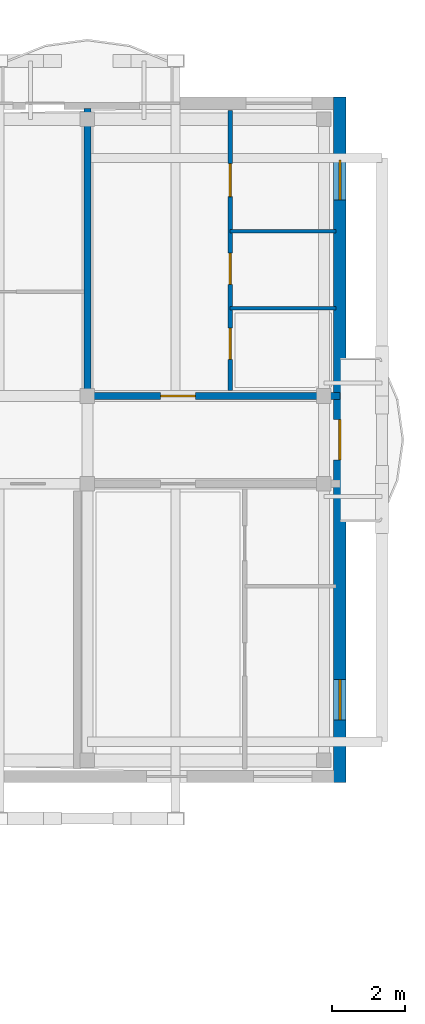
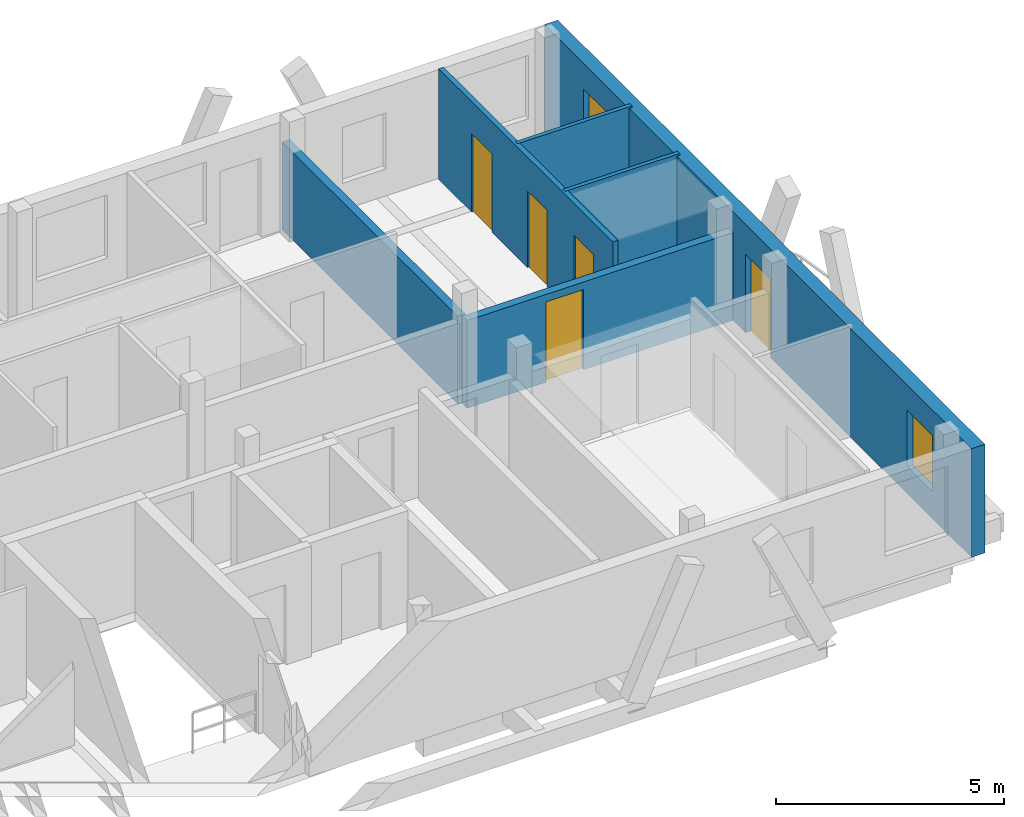
# One storey, part 21 of 29: 6 walls, 5 doors, 2 windows, 7 openings.
"""IFC4 building model written with IfcOpenShell, lengths in metres."""

from ifc_helpers import new_model, si_unit, direction, frame, frame_2d, origin, origin_with_axes, place, context, subcontext, project, spatial, rectangle, extrude, material, layer, layer_set, type_object, element, fill, save


model = new_model("IFC4")

# Units and contexts
model_context = context("Model", 3, precision=1e-05, world=origin(), true_north=direction((0.0, 1.0)))
body_context = subcontext(model_context, "Body", "Model", "MODEL_VIEW")
ifc_project = project(units=[si_unit("LENGTHUNIT", "METRE"), si_unit("AREAUNIT", "SQUARE_METRE"), si_unit("VOLUMEUNIT", "CUBIC_METRE"), si_unit("PLANEANGLEUNIT", "RADIAN"), si_unit("MASSUNIT", "GRAM", prefix="KILO")], contexts=[model_context])

# Site, building, storey
site_placement = place(None, origin())
site = spatial("IfcSite", under=ifc_project, at=site_placement, CompositionType="ELEMENT")
building_placement = place(site_placement, origin())
building = spatial("IfcBuilding", under=site, at=building_placement, Name="Zavelmont Quarter", CompositionType="ELEMENT")
storey_placement = place(building_placement, frame((0.0, 0.0, 33.60009765625)))
storey = spatial("IfcBuildingStorey", under=building, at=storey_placement, Name="L10", CompositionType="ELEMENT", Elevation=33.60009765625)

# Wall, openings, door, windows
ifc_material_1 = material(Name="Natural Belgian limestone", Category="masonry")
ifc_layer_1 = layer(ifc_material_1, 0.340087890625)
ifc_layer_set_1 = layer_set([ifc_layer_1], Name="Natural Belgian limestone")
wall_type_1 = type_object("IfcWallType", Name="EW03", PredefinedType="STANDARD", material=ifc_layer_set_1)
wall_1_placement = place(storey_placement, frame((168.0, 97.429931640625, 0.0), z_axis=(0.0, 0.0, 1.0), x_axis=(0.0, 1.0, 0.0)))
wall_1 = element("IfcWall", 1, at=wall_1_placement, inside=storey, type_object=wall_type_1, Name="L10 exterior limestone wall EW03", PredefinedType="STANDARD", context=body_context, shape_type="SweptSolid", body=[
    extrude(rectangle(XDim=18.739990234375, YDim=0.340087890625, at=frame_2d((9.3701171875, 0.0))), origin(), (0.0, 0.0, 1.0), 2.909912109375),
])
opening_1_placement = place(wall_1_placement, frame((8.820068359375, 0.0, 0.0)))
opening_1 = element("IfcOpeningElement", 2, at=opening_1_placement, cuts=wall_1, Name="Opening DR04B", PredefinedType="OPENING", context=body_context, shape_type="SweptSolid", body=[
    extrude(rectangle(XDim=1.10009765625, YDim=2.10009765625, at=frame_2d((0.550048828125, 1.050048828125))), frame((0.0, 0.18212890625, 0.0), z_axis=(0.0, -1.0, 0.0), x_axis=(1.0, 0.0, 0.0)), (0.0, 0.0, 1.0), 0.364013671875),
])
opening_2_placement = place(wall_1_placement, frame((1.719970703125, 0.0, 0.719970703125)))
opening_2 = element("IfcOpeningElement", 3, at=opening_2_placement, cuts=wall_1, Name="Opening WN09", PredefinedType="OPENING", context=body_context, shape_type="SweptSolid", body=[
    extrude(rectangle(XDim=1.10009765625, YDim=1.5, at=frame_2d((0.550048828125, 0.75))), frame((0.0, 0.18212890625, 0.0), z_axis=(0.0, -1.0, 0.0), x_axis=(1.0, 0.0, 0.0)), (0.0, 0.0, 1.0), 0.364013671875),
])
opening_3_placement = place(wall_1_placement, frame((15.919921875, 0.0, 0.719970703125)))
opening_3 = element("IfcOpeningElement", 4, at=opening_3_placement, cuts=wall_1, Name="Opening WN09", PredefinedType="OPENING", context=body_context, shape_type="SweptSolid", body=[
    extrude(rectangle(XDim=1.10009765625, YDim=1.5, at=frame_2d((0.550048828125, 0.75))), frame((0.0, 0.18212890625, 0.0), z_axis=(0.0, -1.0, 0.0), x_axis=(1.0, 0.0, 0.0)), (0.0, 0.0, 1.0), 0.364013671875),
])
ifc_material_2 = material(Name="Thermally broken aluminium and double safety glass", Category="aluminium")
door_type_1 = type_object("IfcDoorType", Name="DR04B", OperationType="NOTDEFINED", PredefinedType="DOOR", material=ifc_material_2)
door_1_placement = place(opening_1_placement, origin_with_axes())
door_1 = element("IfcDoor", 5, at=door_1_placement, inside=storey, type_object=door_type_1, Name="Block C L10 terrace or vase balcony door", OperationType="SINGLE_SWING_RIGHT", OverallHeight=2.10009765625, OverallWidth=1.10009765625, PredefinedType="DOOR", context=body_context, shape_type="SweptSolid", body=[
    extrude(rectangle(XDim=1.10009765625, YDim=2.10009765625, at=frame_2d((0.550048828125, 1.050048828125))), frame((0.0, 0.02490234375, 0.0), z_axis=(0.0, -1.0, 0.0), x_axis=(1.0, 0.0, 0.0)), (0.0, 0.0, 1.0), 0.050048828125),
])
fill(opening_1, door_1)
ifc_material_3 = material(Name="Double low-E insulated glazing in thermally broken aluminium frame", Category="aluminium")
window_type = type_object("IfcWindowType", Name="WN09", PartitioningType="SINGLE_PANEL", PredefinedType="WINDOW", material=ifc_material_3)
window_1_placement = place(opening_2_placement, origin_with_axes())
window_1 = element("IfcWindow", 6, at=window_1_placement, inside=storey, type_object=window_type, Name="L10 window WN09", OverallHeight=1.5, OverallWidth=1.10009765625, PartitioningType="SINGLE_PANEL", PredefinedType="WINDOW", context=body_context, shape_type="SweptSolid", body=[
    extrude(rectangle(XDim=1.10009765625, YDim=1.5, at=frame_2d((0.550048828125, 0.75))), frame((0.0, 0.030029296875, 0.0), z_axis=(0.0, -1.0, 0.0), x_axis=(1.0, 0.0, 0.0)), (0.0, 0.0, 1.0), 0.06005859375),
])
fill(opening_2, window_1)
window_2_placement = place(opening_3_placement, origin_with_axes())
window_2 = element("IfcWindow", 7, at=window_2_placement, inside=storey, type_object=window_type, Name="L10 window WN09", OverallHeight=1.5, OverallWidth=1.10009765625, PartitioningType="SINGLE_PANEL", PredefinedType="WINDOW", context=body_context, shape_type="SweptSolid", body=[
    extrude(rectangle(XDim=1.10009765625, YDim=1.5, at=frame_2d((0.550048828125, 0.75))), frame((0.0, 0.030029296875, 0.0), z_axis=(0.0, -1.0, 0.0), x_axis=(1.0, 0.0, 0.0)), (0.0, 0.0, 1.0), 0.06005859375),
])
fill(opening_3, window_2)

# Wall
ifc_material_4 = material(Name="Calcium-silicate blockwork and acoustic plaster", Category="masonry")
ifc_layer_2 = layer(ifc_material_4, 0.199951171875)
ifc_layer_set_2 = layer_set([ifc_layer_2], Name="Calcium-silicate blockwork and acoustic plaster")
wall_type_2 = type_object("IfcWallType", Name="IW01", PredefinedType="PARTITIONING", material=ifc_layer_set_2)
wall_2_placement = place(storey_placement, frame((161.10009765625, 108.14990234375, 0.0), z_axis=(0.0, 0.0, 1.0), x_axis=(0.0, 1.0, 0.0)))
element("IfcWall", 8, at=wall_2_placement, inside=storey, type_object=wall_type_2, Name="L10 Inter-dwelling compartment wall IW01", PredefinedType="PARTITIONING", context=body_context, shape_type="SweptSolid", body=[
    extrude(rectangle(XDim=7.7001953125, YDim=0.199951171875, at=frame_2d((3.85009765625, 0.0))), origin(), (0.0, 0.0, 1.0), 2.349853515625),
])

# Wall, opening, door
wall_3_placement = place(storey_placement, frame((161.10009765625, 108.0, 0.0), z_axis=(0.0, 0.0, 1.0), x_axis=(1.0, 0.0, 0.0)))
wall_3 = element("IfcWall", 9, at=wall_3_placement, inside=storey, type_object=wall_type_2, Name="L10 Corridor compartment wall IW01", PredefinedType="PARTITIONING", context=body_context, shape_type="SweptSolid", body=[
    extrude(rectangle(XDim=6.89990234375, YDim=0.199951171875, at=frame_2d((3.449951171875, 0.0))), origin(), (0.0, 0.0, 1.0), 2.349853515625),
])
opening_4_placement = place(wall_3_placement, frame((2.0, 0.0, 0.0)))
opening_4 = element("IfcOpeningElement", 10, at=opening_4_placement, cuts=wall_3, Name="Opening DR02", PredefinedType="OPENING", context=body_context, shape_type="SweptSolid", body=[
    extrude(rectangle(XDim=0.949951171875, YDim=2.14990234375, at=frame_2d((0.47509765625, 1.074951171875))), frame((0.0, 0.11181640625, 0.0), z_axis=(0.0, -1.0, 0.0), x_axis=(1.0, 0.0, 0.0)), (0.0, 0.0, 1.0), 0.223876953125),
])
ifc_material_5 = material(Name="Solid-core oak fire leaf in steel frame", Category="steel")
door_type_2 = type_object("IfcDoorType", Name="DR02", OperationType="NOTDEFINED", PredefinedType="DOOR", material=ifc_material_5)
door_2_placement = place(opening_4_placement, origin_with_axes())
door_2 = element("IfcDoor", 11, at=door_2_placement, inside=storey, type_object=door_type_2, Name="L10 door DR02", OperationType="SINGLE_SWING_RIGHT", OverallHeight=2.14990234375, OverallWidth=0.949951171875, PredefinedType="DOOR", context=body_context, shape_type="SweptSolid", body=[
    extrude(rectangle(XDim=0.949951171875, YDim=2.14990234375, at=frame_2d((0.47509765625, 1.074951171875))), frame((0.0, 0.02490234375, 0.0), z_axis=(0.0, -1.0, 0.0), x_axis=(1.0, 0.0, 0.0)), (0.0, 0.0, 1.0), 0.050048828125),
])
fill(opening_4, door_2)

# Wall, openings, doors
ifc_material_6 = material(Name="Double gypsum board on acoustic steel stud", Category="steel")
ifc_layer_3 = layer(ifc_material_6, 0.125)
ifc_layer_set_3 = layer_set([ifc_layer_3], Name="Double gypsum board on acoustic steel stud")
wall_type_3 = type_object("IfcWallType", Name="IW03", PredefinedType="PARTITIONING", material=ifc_layer_set_3)
wall_4_placement = place(storey_placement, frame((165.0, 108.14990234375, 0.0), z_axis=(0.0, 0.0, 1.0), x_axis=(0.0, 1.0, 0.0)))
wall_4 = element("IfcWall", 12, at=wall_4_placement, inside=storey, type_object=wall_type_3, Name="L10 Partition IW03", PredefinedType="PARTITIONING", context=body_context, shape_type="SweptSolid", body=[
    extrude(rectangle(XDim=7.650146484375, YDim=0.125, at=frame_2d((3.8251953125, 0.0))), origin(), (0.0, 0.0, 1.0), 2.9599609375),
])
opening_5_placement = place(wall_4_placement, frame((0.85009765625, 0.0, 0.0)))
opening_5 = element("IfcOpeningElement", 13, at=opening_5_placement, cuts=wall_4, Name="Opening DR16", PredefinedType="OPENING", context=body_context, shape_type="SweptSolid", body=[
    extrude(rectangle(XDim=0.85009765625, YDim=2.10009765625, at=frame_2d((0.425048828125, 1.050048828125))), frame((0.0, 0.074462890625, 0.0), z_axis=(0.0, -1.0, 0.0), x_axis=(1.0, 0.0, 0.0)), (0.0, 0.0, 1.0), 0.14892578125),
])
opening_6_placement = place(wall_4_placement, frame((2.89990234375, 0.0, 0.0)))
opening_6 = element("IfcOpeningElement", 14, at=opening_6_placement, cuts=wall_4, Name="Opening DR06", PredefinedType="OPENING", context=body_context, shape_type="SweptSolid", body=[
    extrude(rectangle(XDim=0.85009765625, YDim=2.050048828125, at=frame_2d((0.425048828125, 1.02490234375))), frame((0.0, 0.074462890625, 0.0), z_axis=(0.0, -1.0, 0.0), x_axis=(1.0, 0.0, 0.0)), (0.0, 0.0, 1.0), 0.14892578125),
])
opening_7_placement = place(wall_4_placement, frame((5.300048828125, 0.0, 0.0)))
opening_7 = element("IfcOpeningElement", 15, at=opening_7_placement, cuts=wall_4, Name="Opening DR05", PredefinedType="OPENING", context=body_context, shape_type="SweptSolid", body=[
    extrude(rectangle(XDim=0.89990234375, YDim=2.10009765625, at=frame_2d((0.449951171875, 1.050048828125))), frame((0.0, 0.074462890625, 0.0), z_axis=(0.0, -1.0, 0.0), x_axis=(1.0, 0.0, 0.0)), (0.0, 0.0, 1.0), 0.14892578125),
])
ifc_material_7 = material(Name="Engineered oak flush interior door")
door_type_3 = type_object("IfcDoorType", Name="DR05", OperationType="NOTDEFINED", PredefinedType="DOOR", material=ifc_material_7)
door_3_placement = place(opening_7_placement, origin_with_axes())
door_3 = element("IfcDoor", 16, at=door_3_placement, inside=storey, type_object=door_type_3, Name="L10 door DR05", OperationType="SINGLE_SWING_RIGHT", OverallHeight=2.10009765625, OverallWidth=0.89990234375, PredefinedType="DOOR", context=body_context, shape_type="SweptSolid", body=[
    extrude(rectangle(XDim=0.89990234375, YDim=2.10009765625, at=frame_2d((0.449951171875, 1.050048828125))), frame((0.0, 0.02490234375, 0.0), z_axis=(0.0, -1.0, 0.0), x_axis=(1.0, 0.0, 0.0)), (0.0, 0.0, 1.0), 0.050048828125),
])
fill(opening_7, door_3)
ifc_material_8 = material(Name="Moisture-resistant painted wet-room door")
door_type_4 = type_object("IfcDoorType", Name="DR06", OperationType="NOTDEFINED", PredefinedType="DOOR", material=ifc_material_8)
door_4_placement = place(opening_6_placement, frame((0.85009765625, 0.0, 0.0), z_axis=(0.0, 0.0, 1.0), x_axis=(-1.0, 0.0, 0.0)))
door_4 = element("IfcDoor", 17, at=door_4_placement, inside=storey, type_object=door_type_4, Name="L10 door DR06", OperationType="SINGLE_SWING_LEFT", OverallHeight=2.050048828125, OverallWidth=0.85009765625, PredefinedType="DOOR", context=body_context, shape_type="SweptSolid", body=[
    extrude(rectangle(XDim=0.85009765625, YDim=2.050048828125, at=frame_2d((0.425048828125, 1.02490234375))), frame((0.0, 0.02490234375, 0.0), z_axis=(0.0, -1.0, 0.0), x_axis=(1.0, 0.0, 0.0)), (0.0, 0.0, 1.0), 0.050048828125),
])
fill(opening_6, door_4)
door_type_5 = type_object("IfcDoorType", Name="DR16", OperationType="NOTDEFINED", PredefinedType="DOOR", material=ifc_material_7)
door_5_placement = place(opening_5_placement, origin_with_axes())
door_5 = element("IfcDoor", 18, at=door_5_placement, inside=storey, type_object=door_type_5, Name="L10 door DR16", OperationType="SINGLE_SWING_RIGHT", OverallHeight=2.10009765625, OverallWidth=0.85009765625, PredefinedType="DOOR", context=body_context, shape_type="SweptSolid", body=[
    extrude(rectangle(XDim=0.85009765625, YDim=2.10009765625, at=frame_2d((0.425048828125, 1.050048828125))), frame((0.0, 0.02490234375, 0.0), z_axis=(0.0, -1.0, 0.0), x_axis=(1.0, 0.0, 0.0)), (0.0, 0.0, 1.0), 0.050048828125),
])
fill(opening_5, door_5)

# Walls
ifc_material_9 = material(Name="Moisture-resistant gypsum board on steel stud", Category="steel")
ifc_layer_4 = layer(ifc_material_9, 0.10009765625)
ifc_layer_set_4 = layer_set([ifc_layer_4], Name="Moisture-resistant gypsum board on steel stud")
wall_type_4 = type_object("IfcWallType", Name="IW04", PredefinedType="PARTITIONING", material=ifc_layer_set_4)
for number, where, z_axis, x_axis, name in (
    (19, (165.0, 110.39990234375, 0.0), (0.0, 0.0, 1.0), (1.0, 0.0, 0.0), "L10 Partition IW04"),
    (20, (165.0, 112.5, 0.0), (0.0, 0.0, 1.0), (1.0, 0.0, 0.0), "L10 Partition IW04"),
):
    element("IfcWall", number, at=place(storey_placement, frame(where, z_axis=z_axis, x_axis=x_axis)), inside=storey, type_object=wall_type_4, Name=name, PredefinedType="PARTITIONING", context=body_context, shape_type="SweptSolid", body=[
        extrude(rectangle(XDim=2.89990234375, YDim=0.10009765625, at=frame_2d((1.449951171875, 0.0))), origin(), (0.0, 0.0, 1.0), 2.9599609375),
    ])

save(model, "model.ifc")
